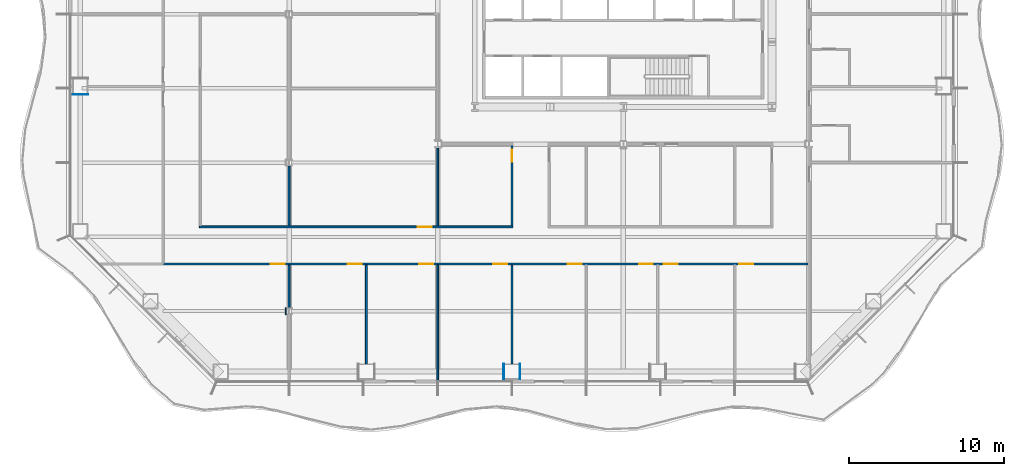
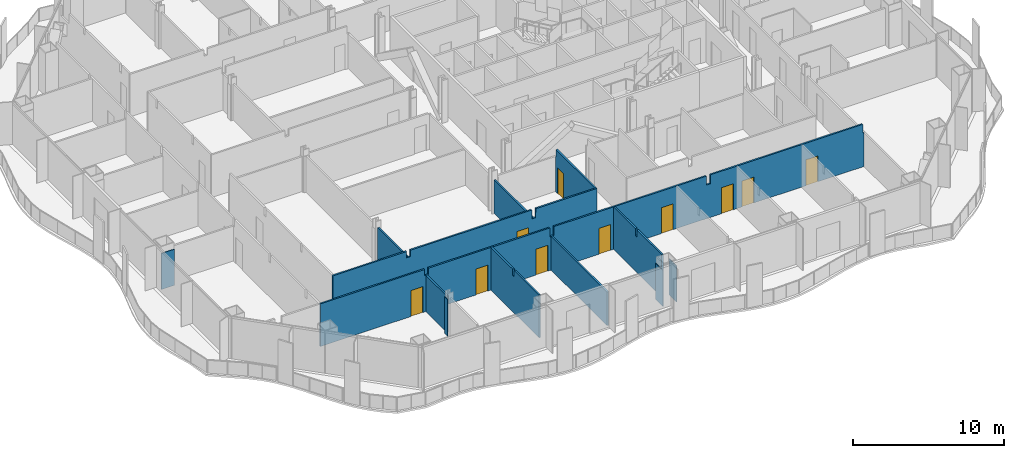
# One storey, part 6 of 20: 13 walls, 10 doors, 10 openings.
"""IFC4 building model written with IfcOpenShell, lengths in metres."""

from ifc_helpers import new_model, si_unit, direction, frame, frame_2d, origin, place, context, subcontext, project, spatial, polyline, rectangle, outline, extrude, material, layer, layer_set, type_object, element, fill, save


model = new_model("IFC4")

# Units and contexts
model_context = context("Model", 3, precision=1e-05, world=origin(), true_north=direction((0.0, 1.0)))
body_context = subcontext(model_context, "Body", "Model", "MODEL_VIEW")
ifc_project = project(units=[si_unit("LENGTHUNIT", "METRE"), si_unit("AREAUNIT", "SQUARE_METRE"), si_unit("VOLUMEUNIT", "CUBIC_METRE"), si_unit("PLANEANGLEUNIT", "RADIAN"), si_unit("MASSUNIT", "GRAM", prefix="KILO")], contexts=[model_context])

# Site, building, storey
site_placement = place(None, origin())
site = spatial("IfcSite", under=ifc_project, at=site_placement, CompositionType="ELEMENT")
building_placement = place(site_placement, origin())
building = spatial("IfcBuilding", under=site, at=building_placement, Name="Cairn Pilgrim Tower", CompositionType="ELEMENT")
storey_placement = place(building_placement, frame((0.0, 0.0, 61.800048828125)))
storey = spatial("IfcBuildingStorey", under=building, at=storey_placement, Name="L13", CompositionType="ELEMENT", Elevation=61.800048828125)

# Walls
ifc_material_1 = material(Name="Gypsum partition")
ifc_layer_1 = layer(ifc_material_1, 0.125)
ifc_layer_set_1 = layer_set([ifc_layer_1], Name="PARTITION 125 DRYWALL EI 60")
wall_type_1 = type_object("IfcWallType", Name="PARTITION 125 DRYWALL EI 60", PredefinedType="PARTITIONING", material=ifc_layer_set_1)
wall_1_placement = place(storey_placement, frame((-4.800048828125, -23.64990234375, 0.0), z_axis=(0.0, 0.0, 1.0), x_axis=(0.0, 1.0, 0.0)))
element("IfcWall", 1, at=wall_1_placement, inside=storey, type_object=wall_type_1, Name="PARTITION W002", PredefinedType="PARTITIONING", context=body_context, shape_type="SweptSolid", body=[
    extrude(rectangle(XDim=7.4375, YDim=0.125, at=frame_2d((3.71875, 0.0))), origin(), (0.0, 0.0, 1.0), 2.72998046875),
])
wall_2_placement = place(storey_placement, frame((-9.4140625, -22.60009765625, 0.0), z_axis=(0.0, 0.0, 1.0), x_axis=(0.0, 1.0, 0.0)))
element("IfcWall", 2, at=wall_2_placement, inside=storey, type_object=wall_type_1, Name="PARTITION W006", PredefinedType="PARTITIONING", context=body_context, shape_type="SweptSolid", body=[
    extrude(outline(polyline([(0.0, 0.0), (6.3876953125, 0.0), (6.387451171875, 3.449951171875), (3.5, 3.449951171875), (3.498046875, 2.929931640625), (3.300048828125, 2.929931640625), (3.298095703125, 3.449951171875), (0.0, 3.449951171875), (0.0, 0.0)])), frame((0.0, 0.0625, 0.0), z_axis=(0.0, -1.0, 0.0), x_axis=(1.0, 0.0, 0.0)), (0.0, 0.0, 1.0), 0.125),
])
wall_3_placement = place(storey_placement, frame((0.0, -22.60009765625, 0.0), z_axis=(0.0, 0.0, 1.0), x_axis=(0.0, 1.0, 0.0)))
element("IfcWall", 3, at=wall_3_placement, inside=storey, type_object=wall_type_1, Name="PARTITION W007", PredefinedType="PARTITIONING", context=body_context, shape_type="SweptSolid", body=[
    extrude(outline(polyline([(0.0, 0.0), (6.3876953125, 0.0), (6.387451171875, 3.449951171875), (3.5048828125, 3.449951171875), (3.5029296875, 2.8798828125), (3.294921875, 2.8798828125), (3.29296875, 3.449951171875), (0.0, 3.449951171875), (0.0, 0.0)])), frame((0.0, 0.0625, 0.0), z_axis=(0.0, -1.0, 0.0), x_axis=(1.0, 0.0, 0.0)), (0.0, 0.0, 1.0), 0.125),
])
wall_4_placement = place(storey_placement, frame((-14.39990234375, -18.987548828125, 0.0), z_axis=(0.0, 0.0, 1.0), x_axis=(0.0, 1.0, 0.0)))
element("IfcWall", 4, at=wall_4_placement, inside=storey, type_object=wall_type_1, Name="PARTITION W010", PredefinedType="PARTITIONING", context=body_context, shape_type="SweptSolid", body=[
    extrude(rectangle(XDim=2.775146484375, YDim=0.125, at=frame_2d((1.3876953125, 0.0))), origin(), (0.0, 0.0, 1.0), 2.929931640625),
])

# Wall, openings, doors
wall_5_placement = place(storey_placement, frame((-22.550048828125, -16.14990234375, 0.0), z_axis=(0.0, 0.0, 1.0), x_axis=(1.0, 0.0, 0.0)))
wall_5 = element("IfcWall", 5, at=wall_5_placement, inside=storey, type_object=wall_type_1, Name="PARTITION W012", PredefinedType="PARTITIONING", context=body_context, shape_type="SweptSolid", body=[
    extrude(outline(polyline([(0.0, 0.0), (41.6875, 0.0), (41.6875, 2.72998046875), (41.60009765625, 2.72998046875), (41.597900390625, 3.449951171875), (29.89990234375, 3.449951171875), (29.89794921875, 2.72998046875), (29.60009765625, 2.72998046875), (29.597900390625, 3.449951171875), (17.89990234375, 3.449951171875), (17.89794921875, 2.72998046875), (17.60009765625, 2.72998046875), (17.597900390625, 3.449951171875), (8.300048828125, 3.449951171875), (8.298095703125, 2.929931640625), (8.0, 2.929931640625), (7.998046875, 3.449951171875), (0.0, 3.449951171875), (0.0, 0.0)])), frame((0.0, 0.0625, 0.0), z_axis=(0.0, -1.0, 0.0), x_axis=(1.0, 0.0, 0.0)), (0.0, 0.0, 1.0), 0.125),
])
opening_1_placement = place(wall_5_placement, frame((6.949951171875, 0.0, 0.0)))
opening_1 = element("IfcOpeningElement", 6, at=opening_1_placement, cuts=wall_5, Name="Opening 1301", PredefinedType="OPENING", context=body_context, shape_type="SweptSolid", body=[
    extrude(rectangle(XDim=0.89990234375, YDim=2.10009765625, at=frame_2d((0.449951171875, 1.050048828125))), frame((0.0, 0.072509765625, 0.0), z_axis=(0.0, -1.0, 0.0), x_axis=(1.0, 0.0, 0.0)), (0.0, 0.0, 1.0), 0.14501953125),
])
opening_2_placement = place(wall_5_placement, frame((11.93603515625, 0.0, 0.0)))
opening_2 = element("IfcOpeningElement", 7, at=opening_2_placement, cuts=wall_5, Name="Opening 1302", PredefinedType="OPENING", context=body_context, shape_type="SweptSolid", body=[
    extrude(rectangle(XDim=0.89990234375, YDim=2.10009765625, at=frame_2d((0.449951171875, 1.050048828125))), frame((0.0, 0.072509765625, 0.0), z_axis=(0.0, -1.0, 0.0), x_axis=(1.0, 0.0, 0.0)), (0.0, 0.0, 1.0), 0.14501953125),
])
opening_3_placement = place(wall_5_placement, frame((16.550048828125, 0.0, 0.0)))
opening_3 = element("IfcOpeningElement", 8, at=opening_3_placement, cuts=wall_5, Name="Opening 1303", PredefinedType="OPENING", context=body_context, shape_type="SweptSolid", body=[
    extrude(rectangle(XDim=0.89990234375, YDim=2.10009765625, at=frame_2d((0.449951171875, 1.050048828125))), frame((0.0, 0.072509765625, 0.0), z_axis=(0.0, -1.0, 0.0), x_axis=(1.0, 0.0, 0.0)), (0.0, 0.0, 1.0), 0.14501953125),
])
opening_4_placement = place(wall_5_placement, frame((21.35009765625, 0.0, 0.0)))
opening_4 = element("IfcOpeningElement", 9, at=opening_4_placement, cuts=wall_5, Name="Opening 1304", PredefinedType="OPENING", context=body_context, shape_type="SweptSolid", body=[
    extrude(rectangle(XDim=0.89990234375, YDim=2.10009765625, at=frame_2d((0.449951171875, 1.050048828125))), frame((0.0, 0.072509765625, 0.0), z_axis=(0.0, -1.0, 0.0), x_axis=(1.0, 0.0, 0.0)), (0.0, 0.0, 1.0), 0.14501953125),
])
opening_5_placement = place(wall_5_placement, frame((26.14990234375, 0.0, 0.0)))
opening_5 = element("IfcOpeningElement", 10, at=opening_5_placement, cuts=wall_5, Name="Opening 1305", PredefinedType="OPENING", context=body_context, shape_type="SweptSolid", body=[
    extrude(rectangle(XDim=0.89990234375, YDim=2.10009765625, at=frame_2d((0.449951171875, 1.050048828125))), frame((0.0, 0.072509765625, 0.0), z_axis=(0.0, -1.0, 0.0), x_axis=(1.0, 0.0, 0.0)), (0.0, 0.0, 1.0), 0.14501953125),
])
opening_6_placement = place(wall_5_placement, frame((30.763916015625, 0.0, 0.0)))
opening_6 = element("IfcOpeningElement", 11, at=opening_6_placement, cuts=wall_5, Name="Opening 1306", PredefinedType="OPENING", context=body_context, shape_type="SweptSolid", body=[
    extrude(rectangle(XDim=0.89990234375, YDim=2.10009765625, at=frame_2d((0.449951171875, 1.050048828125))), frame((0.0, 0.072509765625, 0.0), z_axis=(0.0, -1.0, 0.0), x_axis=(1.0, 0.0, 0.0)), (0.0, 0.0, 1.0), 0.14501953125),
])
opening_7_placement = place(wall_5_placement, frame((32.35009765625, 0.0, 0.0)))
opening_7 = element("IfcOpeningElement", 12, at=opening_7_placement, cuts=wall_5, Name="Opening 1307", PredefinedType="OPENING", context=body_context, shape_type="SweptSolid", body=[
    extrude(rectangle(XDim=0.89990234375, YDim=2.10009765625, at=frame_2d((0.449951171875, 1.050048828125))), frame((0.0, 0.072509765625, 0.0), z_axis=(0.0, -1.0, 0.0), x_axis=(1.0, 0.0, 0.0)), (0.0, 0.0, 1.0), 0.14501953125),
])
opening_8_placement = place(wall_5_placement, frame((37.25, 0.0, 0.0)))
opening_8 = element("IfcOpeningElement", 13, at=opening_8_placement, cuts=wall_5, Name="Opening 1308", PredefinedType="OPENING", context=body_context, shape_type="SweptSolid", body=[
    extrude(rectangle(XDim=0.89990234375, YDim=2.10009765625, at=frame_2d((0.449951171875, 1.050048828125))), frame((0.0, 0.072509765625, 0.0), z_axis=(0.0, -1.0, 0.0), x_axis=(1.0, 0.0, 0.0)), (0.0, 0.0, 1.0), 0.14501953125),
])
ifc_material_2 = material(Name="Steel-faced fire door leaf", Category="steel")
door_type_1 = type_object("IfcDoorType", Name="FIRE DOOR 900x2100 FD30S", OperationType="NOTDEFINED", PredefinedType="DOOR", material=ifc_material_2)
door_1_placement = place(opening_1_placement, frame((0.89990234375, 0.0, 0.0), z_axis=(0.0, 0.0, 1.0), x_axis=(-1.0, 0.0, 0.0)))
door_1 = element("IfcDoor", 14, at=door_1_placement, inside=storey, type_object=door_type_1, Name="DOOR 1301", OperationType="SINGLE_SWING_RIGHT", OverallHeight=2.10009765625, OverallWidth=0.89990234375, PredefinedType="DOOR", context=body_context, shape_type="SweptSolid", body=[
    extrude(rectangle(XDim=0.89990234375, YDim=2.10009765625, at=frame_2d((0.449951171875, 1.050048828125))), frame((0.0, 0.02490234375, 0.0), z_axis=(0.0, -1.0, 0.0), x_axis=(1.0, 0.0, 0.0)), (0.0, 0.0, 1.0), 0.050048828125),
])
fill(opening_1, door_1)
door_2_placement = place(opening_2_placement, frame((0.89990234375, 0.0, 0.0), z_axis=(0.0, 0.0, 1.0), x_axis=(-1.0, 0.0, 0.0)))
door_2 = element("IfcDoor", 15, at=door_2_placement, inside=storey, type_object=door_type_1, Name="DOOR 1302", OperationType="SINGLE_SWING_LEFT", OverallHeight=2.10009765625, OverallWidth=0.89990234375, PredefinedType="DOOR", context=body_context, shape_type="SweptSolid", body=[
    extrude(rectangle(XDim=0.89990234375, YDim=2.10009765625, at=frame_2d((0.449951171875, 1.050048828125))), frame((0.0, 0.02490234375, 0.0), z_axis=(0.0, -1.0, 0.0), x_axis=(1.0, 0.0, 0.0)), (0.0, 0.0, 1.0), 0.050048828125),
])
fill(opening_2, door_2)
door_3_placement = place(opening_3_placement, frame((0.89990234375, 0.0, 0.0), z_axis=(0.0, 0.0, 1.0), x_axis=(-1.0, 0.0, 0.0)))
door_3 = element("IfcDoor", 16, at=door_3_placement, inside=storey, type_object=door_type_1, Name="DOOR 1303", OperationType="SINGLE_SWING_RIGHT", OverallHeight=2.10009765625, OverallWidth=0.89990234375, PredefinedType="DOOR", context=body_context, shape_type="SweptSolid", body=[
    extrude(rectangle(XDim=0.89990234375, YDim=2.10009765625, at=frame_2d((0.449951171875, 1.050048828125))), frame((0.0, 0.02490234375, 0.0), z_axis=(0.0, -1.0, 0.0), x_axis=(1.0, 0.0, 0.0)), (0.0, 0.0, 1.0), 0.050048828125),
])
fill(opening_3, door_3)
door_4_placement = place(opening_4_placement, frame((0.89990234375, 0.0, 0.0), z_axis=(0.0, 0.0, 1.0), x_axis=(-1.0, 0.0, 0.0)))
door_4 = element("IfcDoor", 17, at=door_4_placement, inside=storey, type_object=door_type_1, Name="DOOR 1304", OperationType="SINGLE_SWING_LEFT", OverallHeight=2.10009765625, OverallWidth=0.89990234375, PredefinedType="DOOR", context=body_context, shape_type="SweptSolid", body=[
    extrude(rectangle(XDim=0.89990234375, YDim=2.10009765625, at=frame_2d((0.449951171875, 1.050048828125))), frame((0.0, 0.02490234375, 0.0), z_axis=(0.0, -1.0, 0.0), x_axis=(1.0, 0.0, 0.0)), (0.0, 0.0, 1.0), 0.050048828125),
])
fill(opening_4, door_4)
door_5_placement = place(opening_5_placement, frame((0.89990234375, 0.0, 0.0), z_axis=(0.0, 0.0, 1.0), x_axis=(-1.0, 0.0, 0.0)))
door_5 = element("IfcDoor", 18, at=door_5_placement, inside=storey, type_object=door_type_1, Name="DOOR 1305", OperationType="SINGLE_SWING_RIGHT", OverallHeight=2.10009765625, OverallWidth=0.89990234375, PredefinedType="DOOR", context=body_context, shape_type="SweptSolid", body=[
    extrude(rectangle(XDim=0.89990234375, YDim=2.10009765625, at=frame_2d((0.449951171875, 1.050048828125))), frame((0.0, 0.02490234375, 0.0), z_axis=(0.0, -1.0, 0.0), x_axis=(1.0, 0.0, 0.0)), (0.0, 0.0, 1.0), 0.050048828125),
])
fill(opening_5, door_5)
door_6_placement = place(opening_6_placement, frame((0.89990234375, 0.0, 0.0), z_axis=(0.0, 0.0, 1.0), x_axis=(-1.0, 0.0, 0.0)))
door_6 = element("IfcDoor", 19, at=door_6_placement, inside=storey, type_object=door_type_1, Name="DOOR 1306", OperationType="SINGLE_SWING_LEFT", OverallHeight=2.10009765625, OverallWidth=0.89990234375, PredefinedType="DOOR", context=body_context, shape_type="SweptSolid", body=[
    extrude(rectangle(XDim=0.89990234375, YDim=2.10009765625, at=frame_2d((0.449951171875, 1.050048828125))), frame((0.0, 0.02490234375, 0.0), z_axis=(0.0, -1.0, 0.0), x_axis=(1.0, 0.0, 0.0)), (0.0, 0.0, 1.0), 0.050048828125),
])
fill(opening_6, door_6)
door_7_placement = place(opening_7_placement, frame((0.89990234375, 0.0, 0.0), z_axis=(0.0, 0.0, 1.0), x_axis=(-1.0, 0.0, 0.0)))
door_7 = element("IfcDoor", 20, at=door_7_placement, inside=storey, type_object=door_type_1, Name="DOOR 1307", OperationType="SINGLE_SWING_RIGHT", OverallHeight=2.10009765625, OverallWidth=0.89990234375, PredefinedType="DOOR", context=body_context, shape_type="SweptSolid", body=[
    extrude(rectangle(XDim=0.89990234375, YDim=2.10009765625, at=frame_2d((0.449951171875, 1.050048828125))), frame((0.0, 0.02490234375, 0.0), z_axis=(0.0, -1.0, 0.0), x_axis=(1.0, 0.0, 0.0)), (0.0, 0.0, 1.0), 0.050048828125),
])
fill(opening_7, door_7)
door_8_placement = place(opening_8_placement, frame((0.89990234375, 0.0, 0.0), z_axis=(0.0, 0.0, 1.0), x_axis=(-1.0, 0.0, 0.0)))
door_8 = element("IfcDoor", 21, at=door_8_placement, inside=storey, type_object=door_type_1, Name="DOOR 1308", OperationType="SINGLE_SWING_LEFT", OverallHeight=2.10009765625, OverallWidth=0.89990234375, PredefinedType="DOOR", context=body_context, shape_type="SweptSolid", body=[
    extrude(rectangle(XDim=0.89990234375, YDim=2.10009765625, at=frame_2d((0.449951171875, 1.050048828125))), frame((0.0, 0.02490234375, 0.0), z_axis=(0.0, -1.0, 0.0), x_axis=(1.0, 0.0, 0.0)), (0.0, 0.0, 1.0), 0.050048828125),
])
fill(opening_8, door_8)

# Wall, opening, door
wall_6_placement = place(storey_placement, frame((-20.21240234375, -13.75, 0.0), z_axis=(0.0, 0.0, 1.0), x_axis=(1.0, 0.0, 0.0)))
wall_6 = element("IfcWall", 22, at=wall_6_placement, inside=storey, type_object=wall_type_1, Name="PARTITION W015", PredefinedType="PARTITIONING", context=body_context, shape_type="SweptSolid", body=[
    extrude(outline(polyline([(0.0, 0.0), (20.27490234375, 0.0), (20.27490234375, 3.449951171875), (15.5625, 3.449951171875), (15.560546875, 2.72998046875), (15.262451171875, 2.72998046875), (15.260498046875, 3.449951171875), (5.96240234375, 3.449951171875), (5.96044921875, 2.929931640625), (5.66259765625, 2.929931640625), (5.660400390625, 3.449951171875), (0.0, 3.449951171875), (0.0, 0.0)])), frame((0.0, 0.0625, 0.0), z_axis=(0.0, -1.0, 0.0), x_axis=(1.0, 0.0, 0.0)), (0.0, 0.0, 1.0), 0.125),
])
opening_9_placement = place(wall_6_placement, frame((14.112548828125, 0.0, 0.0)))
opening_9 = element("IfcOpeningElement", 23, at=opening_9_placement, cuts=wall_6, Name="Opening 1329", PredefinedType="OPENING", context=body_context, shape_type="SweptSolid", body=[
    extrude(rectangle(XDim=0.89990234375, YDim=2.10009765625, at=frame_2d((0.449951171875, 1.050048828125))), frame((0.0, 0.072509765625, 0.0), z_axis=(0.0, -1.0, 0.0), x_axis=(1.0, 0.0, 0.0)), (0.0, 0.0, 1.0), 0.14501953125),
])
door_9_placement = place(opening_9_placement, origin())
door_9 = element("IfcDoor", 24, at=door_9_placement, inside=storey, type_object=door_type_1, Name="DOOR 1329", OperationType="SINGLE_SWING_RIGHT", OverallHeight=2.10009765625, OverallWidth=0.89990234375, PredefinedType="DOOR", context=body_context, shape_type="SweptSolid", body=[
    extrude(rectangle(XDim=0.89990234375, YDim=2.10009765625, at=frame_2d((0.449951171875, 1.050048828125))), frame((0.0, 0.02490234375, 0.0), z_axis=(0.0, -1.0, 0.0), x_axis=(1.0, 0.0, 0.0)), (0.0, 0.0, 1.0), 0.050048828125),
])
fill(opening_9, door_9)

# Walls
wall_7_placement = place(storey_placement, frame((-14.39990234375, -13.6875, 0.0), z_axis=(0.0, 0.0, 1.0), x_axis=(0.0, 1.0, 0.0)))
element("IfcWall", 25, at=wall_7_placement, inside=storey, type_object=wall_type_1, Name="PARTITION W018", PredefinedType="PARTITIONING", context=body_context, shape_type="SweptSolid", body=[
    extrude(rectangle(XDim=3.875, YDim=0.125, at=frame_2d((1.9375, 0.0))), origin(), (0.0, 0.0, 1.0), 2.929931640625),
])
wall_8_placement = place(storey_placement, frame((-4.800048828125, -13.6875, 0.0), z_axis=(0.0, 0.0, 1.0), x_axis=(0.0, 1.0, 0.0)))
element("IfcWall", 26, at=wall_8_placement, inside=storey, type_object=wall_type_1, Name="PARTITION W019", PredefinedType="PARTITIONING", context=body_context, shape_type="SweptSolid", body=[
    extrude(rectangle(XDim=5.050537109375, YDim=0.125, at=frame_2d((2.525390625, 0.0))), origin(), (0.0, 0.0, 1.0), 2.72998046875),
])

# Wall, opening, door
wall_9_placement = place(storey_placement, frame((0.0, -13.6875, 0.0), z_axis=(0.0, 0.0, 1.0), x_axis=(0.0, 1.0, 0.0)))
wall_9 = element("IfcWall", 27, at=wall_9_placement, inside=storey, type_object=wall_type_1, Name="PARTITION W020", PredefinedType="PARTITIONING", context=body_context, shape_type="SweptSolid", body=[
    extrude(outline(polyline([(0.0, 0.0), (5.22509765625, 0.0), (5.22509765625, 2.829833984375), (5.137451171875, 2.829833984375), (5.135498046875, 3.449951171875), (0.0, 3.449951171875), (0.0, 0.0)])), frame((0.0, 0.0625, 0.0), z_axis=(0.0, -1.0, 0.0), x_axis=(1.0, 0.0, 0.0)), (0.0, 0.0, 1.0), 0.125),
])
opening_10_placement = place(wall_9_placement, frame((4.137451171875, 0.0, 0.0)))
opening_10 = element("IfcOpeningElement", 28, at=opening_10_placement, cuts=wall_9, Name="Opening 1335", PredefinedType="OPENING", context=body_context, shape_type="SweptSolid", body=[
    extrude(rectangle(XDim=0.800048828125, YDim=2.10009765625, at=frame_2d((0.39990234375, 1.050048828125))), frame((0.0, 0.072509765625, 0.0), z_axis=(0.0, -1.0, 0.0), x_axis=(1.0, 0.0, 0.0)), (0.0, 0.0, 1.0), 0.14501953125),
])
door_type_2 = type_object("IfcDoorType", Name="FIRE DOOR 800x2100 FD30S", OperationType="NOTDEFINED", PredefinedType="DOOR", material=ifc_material_2)
door_10_placement = place(opening_10_placement, origin())
door_10 = element("IfcDoor", 29, at=door_10_placement, inside=storey, type_object=door_type_2, Name="DOOR 1335", OperationType="SINGLE_SWING_RIGHT", OverallHeight=2.10009765625, OverallWidth=0.800048828125, PredefinedType="DOOR", context=body_context, shape_type="SweptSolid", body=[
    extrude(rectangle(XDim=0.800048828125, YDim=2.10009765625, at=frame_2d((0.39990234375, 1.050048828125))), frame((0.0, 0.02490234375, 0.0), z_axis=(0.0, -1.0, 0.0), x_axis=(1.0, 0.0, 0.0)), (0.0, 0.0, 1.0), 0.050048828125),
])
fill(opening_10, door_10)

# Walls
ifc_layer_2 = layer(ifc_material_1, 0.050048828125)
ifc_layer_set_2 = layer_set([ifc_layer_2], Name="PARTITION 50 DRYWALL EI 60")
wall_type_2 = type_object("IfcWallType", Name="PARTITION 50 DRYWALL EI 60", PredefinedType="PARTITIONING", material=ifc_layer_set_2)
wall_10_placement = place(storey_placement, frame((-14.62939453125, -19.41259765625, 0.0), z_axis=(0.0, 0.0, 1.0), x_axis=(0.0, 1.0, 0.0)))
element("IfcWall", 30, at=wall_10_placement, inside=storey, type_object=wall_type_2, Name="COLUMN CASING WC01", PredefinedType="PARTITIONING", context=body_context, shape_type="SweptSolid", body=[
    extrude(rectangle(XDim=0.425048828125, YDim=0.050048828125, at=frame_2d((0.21240234375, 0.0))), origin(), (0.0, 0.0, 1.0), 2.97998046875),
])
for number, where, z_axis, x_axis, name in (
    (31, (-0.52490234375, -23.60009765625, 0.0), (0.0, 0.0, 1.0), (0.0, 1.0, 0.0), "COLUMN CASING WC02"),
    (32, (0.52490234375, -23.60009765625, 0.0), (0.0, 0.0, 1.0), (0.0, 1.0, 0.0), "COLUMN CASING WC03"),
    (33, (-28.39990234375, -5.20068359375, 0.0), (0.0, 0.0, 1.0), (1.0, 0.0, 0.0), "COLUMN CASING WC18"),
):
    element("IfcWall", number, at=place(storey_placement, frame(where, z_axis=z_axis, x_axis=x_axis)), inside=storey, type_object=wall_type_2, Name=name, PredefinedType="PARTITIONING", context=body_context, shape_type="SweptSolid", body=[
        extrude(rectangle(XDim=1.0, YDim=0.050048828125, at=frame_2d((0.5, 0.0))), origin(), (0.0, 0.0, 1.0), 2.929931640625),
    ])

save(model, "model.ifc")
